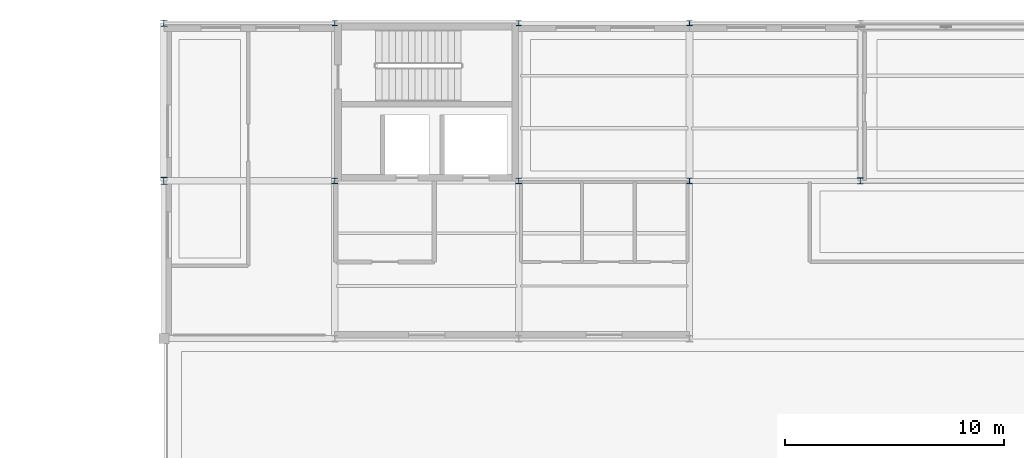
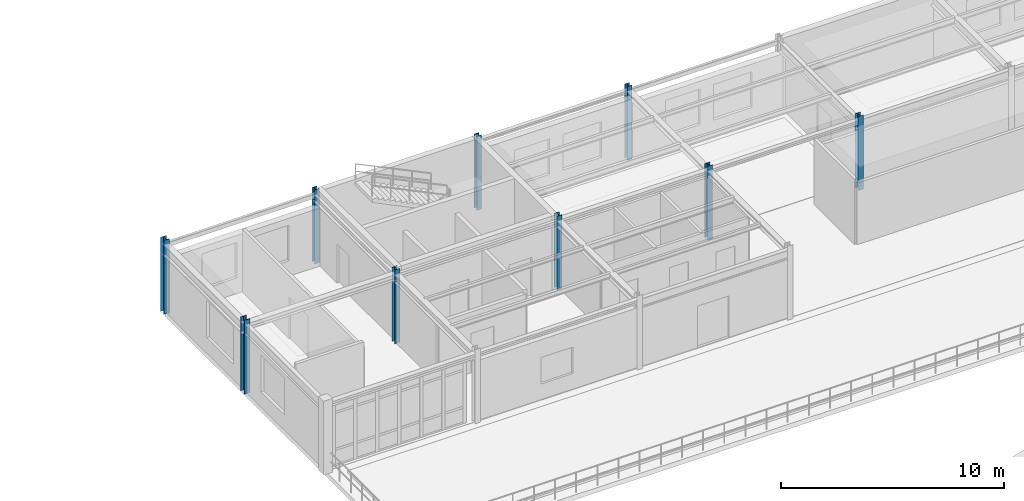
# One storey, part 6 of 58: 9 columns.
"""IFC4 building model written with IfcOpenShell, lengths in metres."""

from ifc_helpers import new_model, si_unit, derived_unit, direction, frame, origin, origin_2d, place, context, subcontext, project, spatial, i_section, extrude, material, material_profile, profile_set, type_object, element, save


model = new_model("IFC4")

# Units and contexts
model_context = context("Model", 3, precision=1e-05, world=origin(), true_north=direction((0.0, 1.0)))
body_context = subcontext(model_context, "Body", "Model", "MODEL_VIEW")
ifc_project = project(units=[si_unit("LENGTHUNIT", "METRE"), si_unit("AREAUNIT", "SQUARE_METRE"), si_unit("VOLUMEUNIT", "CUBIC_METRE"), si_unit("PLANEANGLEUNIT", "RADIAN"), si_unit("MASSUNIT", "GRAM", prefix="KILO"), derived_unit("THERMALTRANSMITTANCEUNIT", [(si_unit("POWERUNIT", "WATT"), 1), (si_unit("AREAUNIT", "SQUARE_METRE"), -1), (si_unit("THERMODYNAMICTEMPERATUREUNIT", "KELVIN"), -1)])], contexts=[model_context])

# Site, building, storey
site_placement = place(None, origin())
site = spatial("IfcSite", under=ifc_project, at=site_placement, CompositionType="ELEMENT")
building_placement = place(site_placement, origin())
building = spatial("IfcBuilding", under=site, at=building_placement, Name="Yasenodar Specialist Clinic", CompositionType="ELEMENT")
storey_placement = place(building_placement, frame((0.0, 0.0, 21.300048828125)))
storey = spatial("IfcBuildingStorey", under=building, at=storey_placement, Name="L05", CompositionType="ELEMENT", Elevation=21.300048828125)

# Columns
ifc_material = material(Name="Steel S355", Category="steel")
ifc_material_profile_1 = material_profile(ifc_material, i_section(OverallWidth=0.300048828125, OverallDepth=0.2900390625, WebThickness=0.008544921875, FlangeThickness=0.013916015625, FilletRadius=0.027099609375, at=origin_2d()), Name="HEA 300")
ifc_profile_set_1 = profile_set([ifc_material_profile_1], Name="Steel S355")
column_type_1 = type_object("IfcColumnType", Name="COL-ST-HEA300", PredefinedType="COLUMN", material=ifc_profile_set_1)
column_1_placement = place(storey_placement, frame((49.199951171875, 111.60009765625, 0.0), z_axis=(0.0, 0.0, 1.0), x_axis=(1.0, 0.0, 0.0)))
element("IfcColumn", 1, at=column_1_placement, inside=storey, type_object=column_type_1, Name="L05 Column V5-085", PredefinedType="COLUMN", context=body_context, shape_type="SweptSolid", body=[
    extrude(i_section(OverallWidth=0.300048828125, OverallDepth=0.2900390625, WebThickness=0.008544921875, FlangeThickness=0.013916015625, FilletRadius=0.027099609375, at=origin_2d()), origin(), (0.0, 0.0, 1.0), 4.050048828125),
])
ifc_material_profile_2 = material_profile(ifc_material, i_section(OverallWidth=0.300048828125, OverallDepth=0.330078125, WebThickness=0.009521484375, FlangeThickness=0.0166015625, FilletRadius=0.027099609375, at=origin_2d()), Name="HEA 340")
ifc_profile_set_2 = profile_set([ifc_material_profile_2], Name="Steel S355")
column_type_2 = type_object("IfcColumnType", Name="COL-ST-HEA340", PredefinedType="COLUMN", material=ifc_profile_set_2)
column_2_placement = place(storey_placement, frame((49.199951171875, 104.39990234375, 0.0), z_axis=(0.0, 0.0, 1.0), x_axis=(1.0, 0.0, 0.0)))
element("IfcColumn", 2, at=column_2_placement, inside=storey, type_object=column_type_2, Name="L05 Column V5-084", PredefinedType="COLUMN", context=body_context, shape_type="SweptSolid", body=[
    extrude(i_section(OverallWidth=0.300048828125, OverallDepth=0.330078125, WebThickness=0.009521484375, FlangeThickness=0.0166015625, FilletRadius=0.027099609375, at=origin_2d()), origin(), (0.0, 0.0, 1.0), 4.050048828125),
])
ifc_material_profile_3 = material_profile(ifc_material, i_section(OverallWidth=0.239990234375, OverallDepth=0.239990234375, WebThickness=0.010009765625, FlangeThickness=0.01708984375, FilletRadius=0.02099609375, at=origin_2d()), Name="HEB 240")
ifc_profile_set_3 = profile_set([ifc_material_profile_3], Name="Steel S355")
column_type_3 = type_object("IfcColumnType", Name="COL-ST-HEB240", PredefinedType="COLUMN", material=ifc_profile_set_3)
for number, where, z_axis, x_axis, name in (
    (3, (57.0, 111.60009765625, 0.0), (0.0, 0.0, 1.0), (1.0, 0.0, 0.0), "L05 Column V5-092"),
    (4, (65.39990234375, 111.60009765625, 0.0), (0.0, 0.0, 1.0), (1.0, 0.0, 0.0), "L05 Column V5-097"),
    (5, (73.199951171875, 111.60009765625, 0.0), (0.0, 0.0, 1.0), (1.0, 0.0, 0.0), "L05 Column V5-102"),
):
    element("IfcColumn", number, at=place(storey_placement, frame(where, z_axis=z_axis, x_axis=x_axis)), inside=storey, type_object=column_type_3, Name=name, PredefinedType="COLUMN", context=body_context, shape_type="SweptSolid", body=[
        extrude(i_section(OverallWidth=0.239990234375, OverallDepth=0.239990234375, WebThickness=0.010009765625, FlangeThickness=0.01708984375, FilletRadius=0.02099609375, at=origin_2d()), origin(), (0.0, 0.0, 1.0), 4.050048828125),
    ])
ifc_material_profile_4 = material_profile(ifc_material, i_section(OverallWidth=0.260009765625, OverallDepth=0.260009765625, WebThickness=0.010009765625, FlangeThickness=0.017578125, FilletRadius=0.02392578125, at=origin_2d()), Name="HEB 260")
ifc_profile_set_4 = profile_set([ifc_material_profile_4], Name="Steel S355")
column_type_4 = type_object("IfcColumnType", Name="COL-ST-HEB260", PredefinedType="COLUMN", material=ifc_profile_set_4)
for number, where, z_axis, x_axis, name in (
    (6, (57.0, 104.39990234375, 0.0), (0.0, 0.0, 1.0), (1.0, 0.0, 0.0), "L05 Column V5-091"),
    (7, (65.39990234375, 104.39990234375, 0.0), (0.0, 0.0, 1.0), (1.0, 0.0, 0.0), "L05 Column V5-096"),
    (8, (73.199951171875, 104.39990234375, 0.0), (0.0, 0.0, 1.0), (1.0, 0.0, 0.0), "L05 Column V5-101"),
):
    element("IfcColumn", number, at=place(storey_placement, frame(where, z_axis=z_axis, x_axis=x_axis)), inside=storey, type_object=column_type_4, Name=name, PredefinedType="COLUMN", context=body_context, shape_type="SweptSolid", body=[
        extrude(i_section(OverallWidth=0.260009765625, OverallDepth=0.260009765625, WebThickness=0.010009765625, FlangeThickness=0.017578125, FilletRadius=0.02392578125, at=origin_2d()), origin(), (0.0, 0.0, 1.0), 4.050048828125),
    ])
ifc_material_profile_5 = material_profile(ifc_material, i_section(OverallWidth=0.280029296875, OverallDepth=0.280029296875, WebThickness=0.010498046875, FlangeThickness=0.01806640625, FilletRadius=0.02392578125, at=origin_2d()), Name="HEB 280")
ifc_profile_set_5 = profile_set([ifc_material_profile_5], Name="Steel S355")
column_type_5 = type_object("IfcColumnType", Name="COL-ST-HEB280", PredefinedType="COLUMN", material=ifc_profile_set_5)
column_3_placement = place(storey_placement, frame((81.0, 104.39990234375, 0.0), z_axis=(0.0, 0.0, 1.0), x_axis=(1.0, 0.0, 0.0)))
element("IfcColumn", 9, at=column_3_placement, inside=storey, type_object=column_type_5, Name="L05 Column V5-105", PredefinedType="COLUMN", context=body_context, shape_type="SweptSolid", body=[
    extrude(i_section(OverallWidth=0.280029296875, OverallDepth=0.280029296875, WebThickness=0.010498046875, FlangeThickness=0.01806640625, FilletRadius=0.02392578125, at=origin_2d()), origin(), (0.0, 0.0, 1.0), 4.050048828125),
])

save(model, "model.ifc")
